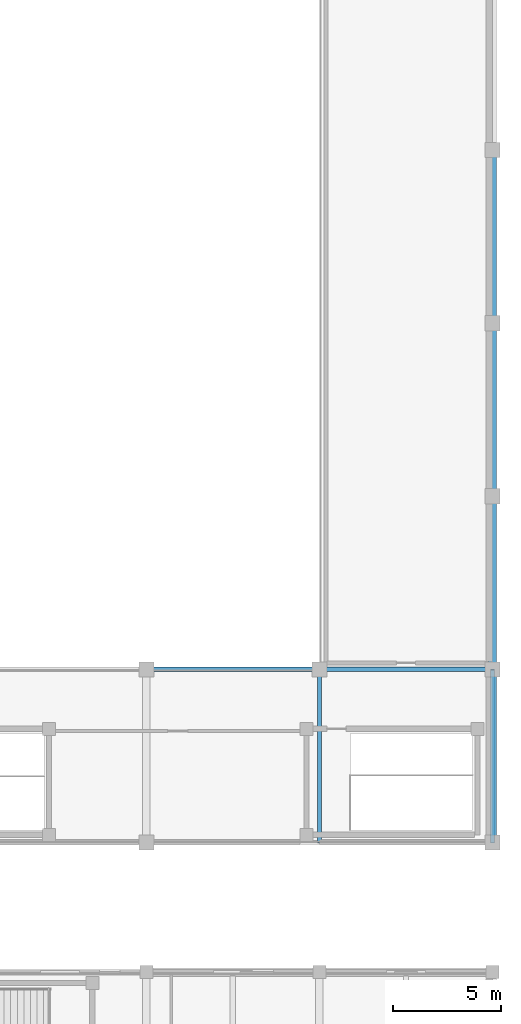
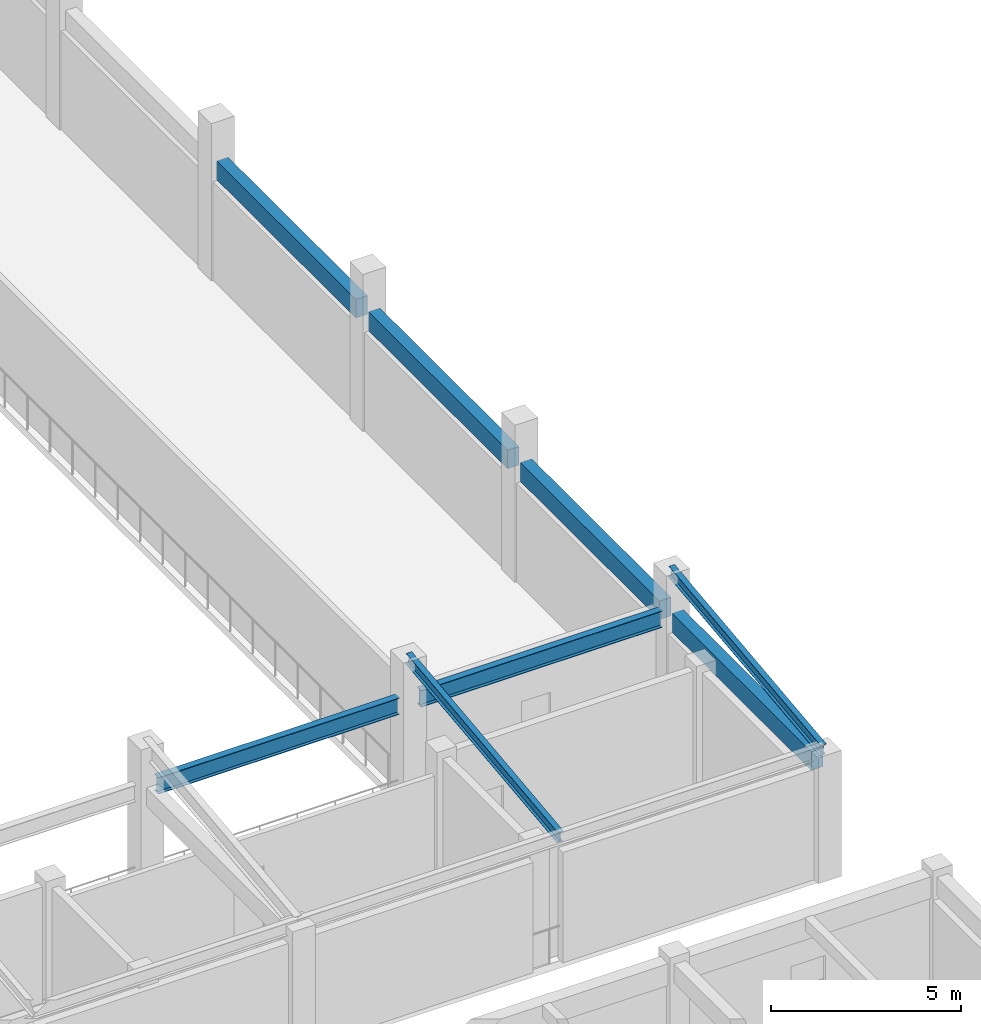
# One storey, part 96 of 159: 6 beams, 2 members.
"""IFC4 building model written with IfcOpenShell, lengths in metres."""

from ifc_helpers import new_model, si_unit, direction, frame, origin, origin_2d, place, context, subcontext, project, spatial, rectangle, i_section, extrude, material, material_profile, profile_set, type_object, element, save


model = new_model("IFC4")

# Units and contexts
model_context = context("Model", 3, precision=1e-05, world=origin(), true_north=direction((0.0, 1.0)))
body_context = subcontext(model_context, "Body", "Model", "MODEL_VIEW")
ifc_project = project(units=[si_unit("LENGTHUNIT", "METRE"), si_unit("AREAUNIT", "SQUARE_METRE"), si_unit("VOLUMEUNIT", "CUBIC_METRE"), si_unit("PLANEANGLEUNIT", "RADIAN"), si_unit("MASSUNIT", "GRAM", prefix="KILO")], contexts=[model_context])

# Site, building, storey
site_placement = place(None, origin())
site = spatial("IfcSite", under=ifc_project, at=site_placement, CompositionType="ELEMENT")
building_placement = place(site_placement, origin())
building = spatial("IfcBuilding", under=site, at=building_placement, Name="Celadon Cloister-Ring School", CompositionType="ELEMENT")
storey_placement = place(building_placement, frame((0.0, 0.0, 4.5)))
storey = spatial("IfcBuildingStorey", under=building, at=storey_placement, Name="L01", CompositionType="ELEMENT", Elevation=4.5)

# Beams
ifc_material_1 = material(Name="Concrete C35/45", Category="concrete")
ifc_material_profile_1 = material_profile(ifc_material_1, rectangle(XDim=0.35009765625, YDim=0.60009765625, at=origin_2d()), Name="RC350X600")
ifc_profile_set_1 = profile_set([ifc_material_profile_1], Name="Concrete C35/45")
beam_type_1 = type_object("IfcBeamType", Name="BT-02", PredefinedType="BEAM", material=ifc_profile_set_1)
for number, where, z_axis, x_axis, name in (
    (1, (174.0, 66.324951171875, 3.47998046875), (0.0, 1.0, 0.0), (-1.0, 0.0, 0.0), "Beam 1175"),
    (2, (174.0, 74.324951171875, 3.47998046875), (0.0, 1.0, 0.0), (-1.0, 0.0, 0.0), "Beam 1176"),
    (3, (174.0, 82.324951171875, 3.47998046875), (0.0, 1.0, 0.0), (-1.0, 0.0, 0.0), "Beam 1177"),
    (4, (174.0, 90.324951171875, 3.47998046875), (0.0, 1.0, 0.0), (-1.0, 0.0, 0.0), "Beam 1178"),
):
    element("IfcBeam", number, at=place(storey_placement, frame(where, z_axis=z_axis, x_axis=x_axis)), inside=storey, type_object=beam_type_1, Name=name, PredefinedType="BEAM", context=body_context, shape_type="SweptSolid", body=[
        extrude(rectangle(XDim=0.35009765625, YDim=0.60009765625, at=origin_2d()), origin(), (0.0, 0.0, 1.0), 7.35009765625),
    ])
ifc_material_2 = material(Name="Structural steel S355JR", Category="steel")
ifc_material_profile_2 = material_profile(ifc_material_2, i_section(OverallWidth=0.208984375, OverallDepth=0.532958984375, WebThickness=0.01025390625, FlangeThickness=0.015625, at=origin_2d()), Name="W530X92")
ifc_profile_set_2 = profile_set([ifc_material_profile_2], Name="Structural steel S355JR")
beam_type_2 = type_object("IfcBeamType", Name="GT-06", PredefinedType="USERDEFINED", material=ifc_profile_set_2)
for number, where, z_axis, x_axis, name in (
    (5, (158.324951171875, 74.0, 3.512939453125), (1.0, 0.0, 0.0), (0.0, 1.0, 0.0), "Beam 1162"),
    (6, (166.324951171875, 74.0, 3.512939453125), (1.0, 0.0, 0.0), (0.0, 1.0, 0.0), "Beam 1163"),
):
    element("IfcBeam", number, at=place(storey_placement, frame(where, z_axis=z_axis, x_axis=x_axis)), inside=storey, type_object=beam_type_2, Name=name, ObjectType="GIRDER", PredefinedType="USERDEFINED", context=body_context, shape_type="SweptSolid", body=[
        extrude(i_section(OverallWidth=0.208984375, OverallDepth=0.532958984375, WebThickness=0.01025390625, FlangeThickness=0.015625, at=origin_2d()), origin(), (0.0, 0.0, 1.0), 7.35009765625),
    ])

# Members
ifc_material_3 = material(Name="Structural steel S355JR", Category="steel")
ifc_material_profile_3 = material_profile(ifc_material_3, i_section(OverallWidth=0.1708984375, OverallDepth=0.35498046875, WebThickness=0.007080078125, FlangeThickness=0.01171875, at=origin_2d()), Name="W360X51")
ifc_profile_set_3 = profile_set([ifc_material_profile_3], Name="Structural steel S355JR")
member_type = type_object("IfcMemberType", Name="MR-05", PredefinedType="RAFTER", material=ifc_profile_set_3)
for number, where, z_axis, x_axis, name in (
    (7, (166.0, 66.0, 3.97998046875), (0.0, 0.993453474255, 0.114237447845), (-1.0, 0.0, 0.0), "Structural Member 0586"),
    (8, (174.0, 66.0, 3.97998046875), (0.0, 0.993453474255, 0.114237447845), (-1.0, 0.0, 0.0), "Structural Member 0587"),
):
    element("IfcMember", number, at=place(storey_placement, frame(where, z_axis=z_axis, x_axis=x_axis)), inside=storey, type_object=member_type, Name=name, PredefinedType="RAFTER", context=body_context, shape_type="SweptSolid", body=[
        extrude(i_section(OverallWidth=0.1708984375, OverallDepth=0.35498046875, WebThickness=0.007080078125, FlangeThickness=0.01171875, at=origin_2d()), origin(), (0.0, 0.0, 1.0), 8.052734375),
    ])

save(model, "model.ifc")
